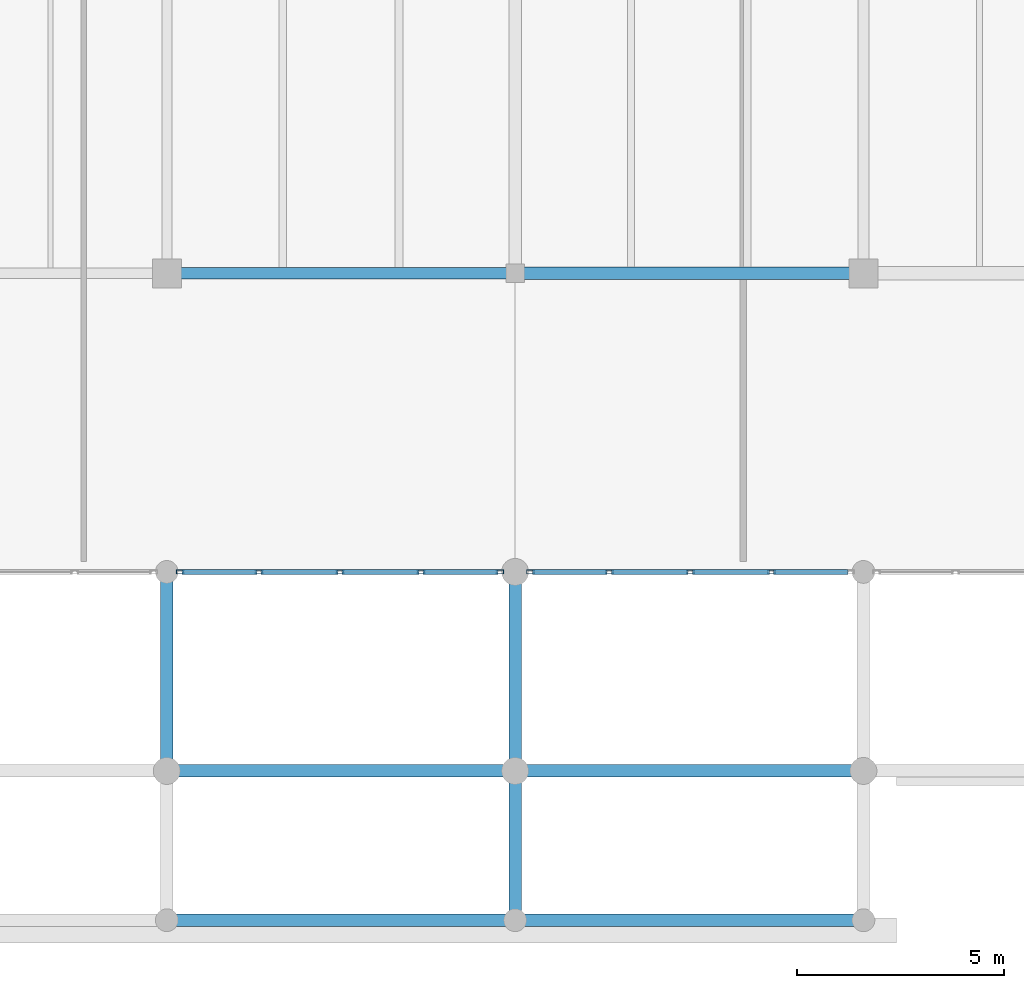
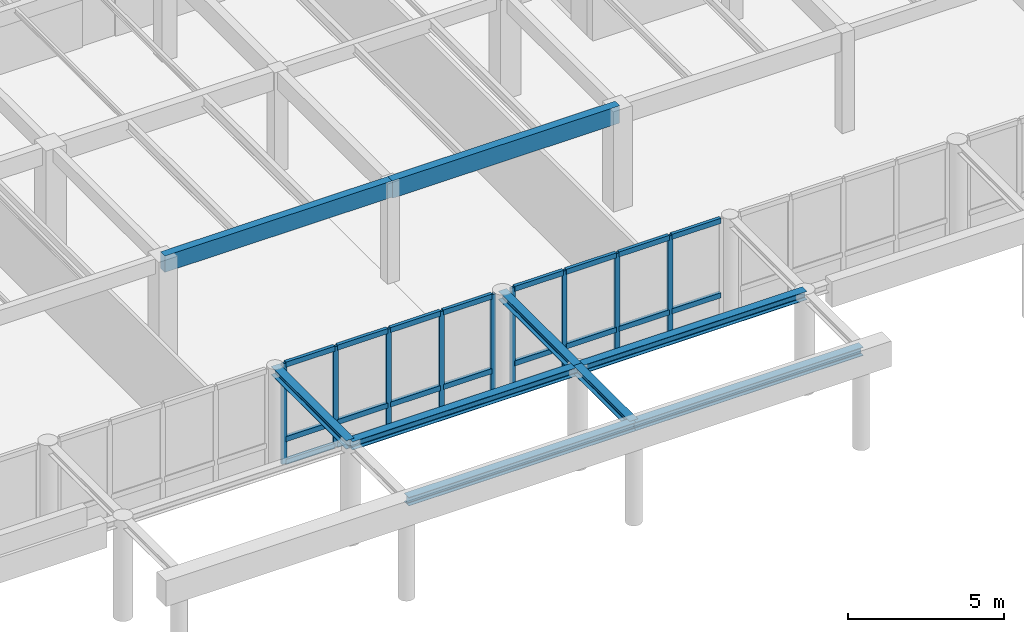
# One storey, part 44 of 170: 33 members, 9 beams, 2 elements without a shape of their own.
"""IFC4 building model written with IfcOpenShell, lengths in metres."""

from ifc_helpers import new_model, si_unit, direction, frame, origin, origin_2d, place, context, subcontext, project, spatial, rectangle, hollow_rectangle, i_section, extrude, material, layer, layer_set, material_profile, profile_set, type_object, element, aggregate, save


model = new_model("IFC4")

# Units and contexts
model_context = context("Model", 3, precision=1e-05, world=origin(), true_north=direction((0.0, 1.0)))
body_context = subcontext(model_context, "Body", "Model", "MODEL_VIEW")
ifc_project = project(units=[si_unit("LENGTHUNIT", "METRE"), si_unit("AREAUNIT", "SQUARE_METRE"), si_unit("VOLUMEUNIT", "CUBIC_METRE"), si_unit("PLANEANGLEUNIT", "RADIAN"), si_unit("MASSUNIT", "GRAM", prefix="KILO")], contexts=[model_context])

# Site, building, storey
site_placement = place(None, origin())
site = spatial("IfcSite", under=ifc_project, at=site_placement, CompositionType="ELEMENT")
building_placement = place(site_placement, origin())
building = spatial("IfcBuilding", under=site, at=building_placement, Name="Mazaris Harbour Polytechnic", CompositionType="ELEMENT")
storey_placement = place(building_placement, frame((0.0, 0.0, 5.39990234375)))
storey = spatial("IfcBuildingStorey", under=building, at=storey_placement, Name="L01", CompositionType="ELEMENT", Elevation=5.39990234375)

# Curtain wall, members
ifc_material_1 = material(Name="Anodised Bronze Aluminium and Low-E Glass", Category="aluminium")
ifc_layer = layer(ifc_material_1, 0.179931640625, Name="Anodised Bronze Aluminium and Low-E Glass")
ifc_layer_set = layer_set([ifc_layer], Name="Anodised Bronze Aluminium and Low-E Glass")
curtain_wall_type = type_object("IfcCurtainWallType", Name="Harbour Colonnade Curtain Wall", PredefinedType="NOTDEFINED", material=ifc_layer_set)
curtain_wall_1_placement = place(storey_placement, origin())
curtain_wall_1 = element("IfcCurtainWall", 1, at=curtain_wall_1_placement, inside=storey, type_object=curtain_wall_type, Name="V3 L01 Curtain Wall 71", PredefinedType="NOTDEFINED")
ifc_material_2 = material(Name="Anodised Bronze Steel S355", Category="steel")
ifc_material_profile_1 = material_profile(ifc_material_2, hollow_rectangle(XDim=0.10009765625, YDim=0.179931640625, WallThickness=0.008056640625, at=origin_2d()), Name="RHS 100x180x8.0")
ifc_profile_set_1 = profile_set([ifc_material_profile_1], Name="Anodised Bronze Steel S355")
member_type_1 = type_object("IfcMemberType", Name="Curtain Mullion RHS100x180", PredefinedType="MULLION", material=ifc_profile_set_1)
member_1_placement = place(storey_placement, frame((87.23291015625, 7.199951171875, 0.0), z_axis=(0.0, 0.0, 1.0), x_axis=(0.0, -1.0, 0.0)))
member_1 = element("IfcMember", 2, at=member_1_placement, type_object=member_type_1, Name="CW-01 mullion 1", PredefinedType="MULLION", context=body_context, shape_type="SweptSolid", body=[
    extrude(hollow_rectangle(XDim=0.10009765625, YDim=0.179931640625, WallThickness=0.008056640625, at=origin_2d()), origin(), (0.0, 0.0, 1.0), 3.920166015625),
])
member_2_placement = place(storey_placement, frame((85.3291015625, 7.199951171875, 0.0), z_axis=(0.0, 0.0, 1.0), x_axis=(0.0, -1.0, 0.0)))
member_2 = element("IfcMember", 3, at=member_2_placement, type_object=member_type_1, Name="CW-01 mullion 2", PredefinedType="MULLION", context=body_context, shape_type="SweptSolid", body=[
    extrude(hollow_rectangle(XDim=0.10009765625, YDim=0.179931640625, WallThickness=0.008056640625, at=origin_2d()), origin(), (0.0, 0.0, 1.0), 3.920166015625),
])
member_3_placement = place(storey_placement, frame((83.375, 7.199951171875, 0.0), z_axis=(0.0, 0.0, 1.0), x_axis=(0.0, -1.0, 0.0)))
member_3 = element("IfcMember", 4, at=member_3_placement, type_object=member_type_1, Name="CW-01 mullion 3", PredefinedType="MULLION", context=body_context, shape_type="SweptSolid", body=[
    extrude(hollow_rectangle(XDim=0.10009765625, YDim=0.179931640625, WallThickness=0.008056640625, at=origin_2d()), origin(), (0.0, 0.0, 1.0), 3.920166015625),
])
member_4_placement = place(storey_placement, frame((81.4208984375, 7.199951171875, 0.0), z_axis=(0.0, 0.0, 1.0), x_axis=(0.0, -1.0, 0.0)))
member_4 = element("IfcMember", 5, at=member_4_placement, type_object=member_type_1, Name="CW-01 mullion 4", PredefinedType="MULLION", context=body_context, shape_type="SweptSolid", body=[
    extrude(hollow_rectangle(XDim=0.10009765625, YDim=0.179931640625, WallThickness=0.008056640625, at=origin_2d()), origin(), (0.0, 0.0, 1.0), 3.920166015625),
])
member_5_placement = place(storey_placement, frame((79.51708984375, 7.199951171875, 0.0), z_axis=(0.0, 0.0, 1.0), x_axis=(0.0, -1.0, 0.0)))
member_5 = element("IfcMember", 6, at=member_5_placement, type_object=member_type_1, Name="CW-01 mullion 5", PredefinedType="MULLION", context=body_context, shape_type="SweptSolid", body=[
    extrude(hollow_rectangle(XDim=0.10009765625, YDim=0.179931640625, WallThickness=0.008056640625, at=origin_2d()), origin(), (0.0, 0.0, 1.0), 3.920166015625),
])

curtain_wall_2_placement = place(storey_placement, origin())
curtain_wall_2 = element("IfcCurtainWall", 7, at=curtain_wall_2_placement, inside=storey, type_object=curtain_wall_type, Name="V3 L01 Curtain Wall 72", PredefinedType="NOTDEFINED")
member_6_placement = place(storey_placement, frame((93.779052734375, 7.199951171875, 0.0), z_axis=(0.0, 0.0, 1.0), x_axis=(0.0, -1.0, 0.0)))
member_6 = element("IfcMember", 8, at=member_6_placement, type_object=member_type_1, Name="CW-01 mullion 2", PredefinedType="MULLION", context=body_context, shape_type="SweptSolid", body=[
    extrude(hollow_rectangle(XDim=0.10009765625, YDim=0.179931640625, WallThickness=0.008056640625, at=origin_2d()), origin(), (0.0, 0.0, 1.0), 3.920166015625),
])
member_7_placement = place(storey_placement, frame((91.824951171875, 7.199951171875, 0.0), z_axis=(0.0, 0.0, 1.0), x_axis=(0.0, -1.0, 0.0)))
member_7 = element("IfcMember", 9, at=member_7_placement, type_object=member_type_1, Name="CW-01 mullion 3", PredefinedType="MULLION", context=body_context, shape_type="SweptSolid", body=[
    extrude(hollow_rectangle(XDim=0.10009765625, YDim=0.179931640625, WallThickness=0.008056640625, at=origin_2d()), origin(), (0.0, 0.0, 1.0), 3.920166015625),
])
member_8_placement = place(storey_placement, frame((89.87109375, 7.199951171875, 0.0), z_axis=(0.0, 0.0, 1.0), x_axis=(0.0, -1.0, 0.0)))
member_8 = element("IfcMember", 10, at=member_8_placement, type_object=member_type_1, Name="CW-01 mullion 4", PredefinedType="MULLION", context=body_context, shape_type="SweptSolid", body=[
    extrude(hollow_rectangle(XDim=0.10009765625, YDim=0.179931640625, WallThickness=0.008056640625, at=origin_2d()), origin(), (0.0, 0.0, 1.0), 3.920166015625),
])
member_9_placement = place(storey_placement, frame((87.967041015625, 7.199951171875, 0.0), z_axis=(0.0, 0.0, 1.0), x_axis=(0.0, -1.0, 0.0)))
member_9 = element("IfcMember", 11, at=member_9_placement, type_object=member_type_1, Name="CW-01 mullion 5", PredefinedType="MULLION", context=body_context, shape_type="SweptSolid", body=[
    extrude(hollow_rectangle(XDim=0.10009765625, YDim=0.179931640625, WallThickness=0.008056640625, at=origin_2d()), origin(), (0.0, 0.0, 1.0), 3.920166015625),
])

# Member
ifc_material_3 = material(Name="Anodised Bronze Steel S355", Category="steel")
ifc_material_profile_2 = material_profile(ifc_material_3, hollow_rectangle(XDim=0.1201171875, YDim=0.199951171875, WallThickness=0.008056640625, at=origin_2d()), Name="RHS 120x200x8.0")
ifc_profile_set_2 = profile_set([ifc_material_profile_2], Name="Anodised Bronze Steel S355")
member_type_2 = type_object("IfcMemberType", Name="Curtain Transom RHS120x200", PredefinedType="USERDEFINED", material=ifc_profile_set_2)
member_10_placement = place(storey_placement, frame((87.18310546875, 7.199951171875, 0.06005859375), z_axis=(-1.0, 0.0, 0.0), x_axis=(0.0, -1.0, 0.0)))
member_10 = element("IfcMember", 12, at=member_10_placement, type_object=member_type_2, Name="CW-01 transom 1.1", ObjectType="TRANSOM", PredefinedType="USERDEFINED", context=body_context, shape_type="SweptSolid", body=[
    extrude(hollow_rectangle(XDim=0.1201171875, YDim=0.199951171875, WallThickness=0.008056640625, at=origin_2d()), origin(), (0.0, 0.0, 1.0), 1.80419921875),
])

member_11_placement = place(storey_placement, frame((87.18310546875, 7.199951171875, 0.9501953125), z_axis=(-1.0, 0.0, 0.0), x_axis=(0.0, -1.0, 0.0)))
member_11 = element("IfcMember", 13, at=member_11_placement, type_object=member_type_2, Name="CW-01 transom 1.2", ObjectType="TRANSOM", PredefinedType="USERDEFINED", context=body_context, shape_type="SweptSolid", body=[
    extrude(hollow_rectangle(XDim=0.1201171875, YDim=0.199951171875, WallThickness=0.008056640625, at=origin_2d()), origin(), (0.0, 0.0, 1.0), 1.80419921875),
])

member_12_placement = place(storey_placement, frame((87.18310546875, 7.199951171875, 3.860107421875), z_axis=(-1.0, 0.0, 0.0), x_axis=(0.0, -1.0, 0.0)))
member_12 = element("IfcMember", 14, at=member_12_placement, type_object=member_type_2, Name="CW-01 transom 1.3", ObjectType="TRANSOM", PredefinedType="USERDEFINED", context=body_context, shape_type="SweptSolid", body=[
    extrude(hollow_rectangle(XDim=0.1201171875, YDim=0.199951171875, WallThickness=0.008056640625, at=origin_2d()), origin(), (0.0, 0.0, 1.0), 1.80419921875),
])

member_13_placement = place(storey_placement, frame((85.279052734375, 7.199951171875, 0.06005859375), z_axis=(-1.0, 0.0, 0.0), x_axis=(0.0, -1.0, 0.0)))
member_13 = element("IfcMember", 15, at=member_13_placement, type_object=member_type_2, Name="CW-01 transom 2.1", ObjectType="TRANSOM", PredefinedType="USERDEFINED", context=body_context, shape_type="SweptSolid", body=[
    extrude(hollow_rectangle(XDim=0.1201171875, YDim=0.199951171875, WallThickness=0.008056640625, at=origin_2d()), origin(), (0.0, 0.0, 1.0), 1.85400390625),
])

member_14_placement = place(storey_placement, frame((85.279052734375, 7.199951171875, 0.9501953125), z_axis=(-1.0, 0.0, 0.0), x_axis=(0.0, -1.0, 0.0)))
member_14 = element("IfcMember", 16, at=member_14_placement, type_object=member_type_2, Name="CW-01 transom 2.2", ObjectType="TRANSOM", PredefinedType="USERDEFINED", context=body_context, shape_type="SweptSolid", body=[
    extrude(hollow_rectangle(XDim=0.1201171875, YDim=0.199951171875, WallThickness=0.008056640625, at=origin_2d()), origin(), (0.0, 0.0, 1.0), 1.85400390625),
])

member_15_placement = place(storey_placement, frame((85.279052734375, 7.199951171875, 3.860107421875), z_axis=(-1.0, 0.0, 0.0), x_axis=(0.0, -1.0, 0.0)))
member_15 = element("IfcMember", 17, at=member_15_placement, type_object=member_type_2, Name="CW-01 transom 2.3", ObjectType="TRANSOM", PredefinedType="USERDEFINED", context=body_context, shape_type="SweptSolid", body=[
    extrude(hollow_rectangle(XDim=0.1201171875, YDim=0.199951171875, WallThickness=0.008056640625, at=origin_2d()), origin(), (0.0, 0.0, 1.0), 1.85400390625),
])

member_16_placement = place(storey_placement, frame((83.324951171875, 7.199951171875, 0.06005859375), z_axis=(-1.0, 0.0, 0.0), x_axis=(0.0, -1.0, 0.0)))
member_16 = element("IfcMember", 18, at=member_16_placement, type_object=member_type_2, Name="CW-01 transom 3.1", ObjectType="TRANSOM", PredefinedType="USERDEFINED", context=body_context, shape_type="SweptSolid", body=[
    extrude(hollow_rectangle(XDim=0.1201171875, YDim=0.199951171875, WallThickness=0.008056640625, at=origin_2d()), origin(), (0.0, 0.0, 1.0), 1.85400390625),
])

member_17_placement = place(storey_placement, frame((83.324951171875, 7.199951171875, 0.9501953125), z_axis=(-1.0, 0.0, 0.0), x_axis=(0.0, -1.0, 0.0)))
member_17 = element("IfcMember", 19, at=member_17_placement, type_object=member_type_2, Name="CW-01 transom 3.2", ObjectType="TRANSOM", PredefinedType="USERDEFINED", context=body_context, shape_type="SweptSolid", body=[
    extrude(hollow_rectangle(XDim=0.1201171875, YDim=0.199951171875, WallThickness=0.008056640625, at=origin_2d()), origin(), (0.0, 0.0, 1.0), 1.85400390625),
])

member_18_placement = place(storey_placement, frame((83.324951171875, 7.199951171875, 3.860107421875), z_axis=(-1.0, 0.0, 0.0), x_axis=(0.0, -1.0, 0.0)))
member_18 = element("IfcMember", 20, at=member_18_placement, type_object=member_type_2, Name="CW-01 transom 3.3", ObjectType="TRANSOM", PredefinedType="USERDEFINED", context=body_context, shape_type="SweptSolid", body=[
    extrude(hollow_rectangle(XDim=0.1201171875, YDim=0.199951171875, WallThickness=0.008056640625, at=origin_2d()), origin(), (0.0, 0.0, 1.0), 1.85400390625),
])

member_19_placement = place(storey_placement, frame((81.37109375, 7.199951171875, 0.06005859375), z_axis=(-1.0, 0.0, 0.0), x_axis=(0.0, -1.0, 0.0)))
member_19 = element("IfcMember", 21, at=member_19_placement, type_object=member_type_2, Name="CW-01 transom 4.1", ObjectType="TRANSOM", PredefinedType="USERDEFINED", context=body_context, shape_type="SweptSolid", body=[
    extrude(hollow_rectangle(XDim=0.1201171875, YDim=0.199951171875, WallThickness=0.008056640625, at=origin_2d()), origin(), (0.0, 0.0, 1.0), 1.80419921875),
])

member_20_placement = place(storey_placement, frame((81.37109375, 7.199951171875, 0.9501953125), z_axis=(-1.0, 0.0, 0.0), x_axis=(0.0, -1.0, 0.0)))
member_20 = element("IfcMember", 22, at=member_20_placement, type_object=member_type_2, Name="CW-01 transom 4.2", ObjectType="TRANSOM", PredefinedType="USERDEFINED", context=body_context, shape_type="SweptSolid", body=[
    extrude(hollow_rectangle(XDim=0.1201171875, YDim=0.199951171875, WallThickness=0.008056640625, at=origin_2d()), origin(), (0.0, 0.0, 1.0), 1.80419921875),
])

member_21_placement = place(storey_placement, frame((81.37109375, 7.199951171875, 3.860107421875), z_axis=(-1.0, 0.0, 0.0), x_axis=(0.0, -1.0, 0.0)))
member_21 = element("IfcMember", 23, at=member_21_placement, type_object=member_type_2, Name="CW-01 transom 4.3", ObjectType="TRANSOM", PredefinedType="USERDEFINED", context=body_context, shape_type="SweptSolid", body=[
    extrude(hollow_rectangle(XDim=0.1201171875, YDim=0.199951171875, WallThickness=0.008056640625, at=origin_2d()), origin(), (0.0, 0.0, 1.0), 1.80419921875),
])

aggregate(curtain_wall_1, [member_1, member_2, member_3, member_4, member_5, member_10, member_11, member_12, member_13, member_14, member_15, member_16, member_17, member_18, member_19, member_20, member_21])

member_22_placement = place(storey_placement, frame((95.633056640625, 7.199951171875, 0.06005859375), z_axis=(-1.0, 0.0, 0.0), x_axis=(0.0, -1.0, 0.0)))
member_22 = element("IfcMember", 24, at=member_22_placement, type_object=member_type_2, Name="CW-01 transom 1.1", ObjectType="TRANSOM", PredefinedType="USERDEFINED", context=body_context, shape_type="SweptSolid", body=[
    extrude(hollow_rectangle(XDim=0.1201171875, YDim=0.199951171875, WallThickness=0.008056640625, at=origin_2d()), origin(), (0.0, 0.0, 1.0), 1.803955078125),
])

member_23_placement = place(storey_placement, frame((95.633056640625, 7.199951171875, 0.9501953125), z_axis=(-1.0, 0.0, 0.0), x_axis=(0.0, -1.0, 0.0)))
member_23 = element("IfcMember", 25, at=member_23_placement, type_object=member_type_2, Name="CW-01 transom 1.2", ObjectType="TRANSOM", PredefinedType="USERDEFINED", context=body_context, shape_type="SweptSolid", body=[
    extrude(hollow_rectangle(XDim=0.1201171875, YDim=0.199951171875, WallThickness=0.008056640625, at=origin_2d()), origin(), (0.0, 0.0, 1.0), 1.803955078125),
])

member_24_placement = place(storey_placement, frame((95.633056640625, 7.199951171875, 3.860107421875), z_axis=(-1.0, 0.0, 0.0), x_axis=(0.0, -1.0, 0.0)))
member_24 = element("IfcMember", 26, at=member_24_placement, type_object=member_type_2, Name="CW-01 transom 1.3", ObjectType="TRANSOM", PredefinedType="USERDEFINED", context=body_context, shape_type="SweptSolid", body=[
    extrude(hollow_rectangle(XDim=0.1201171875, YDim=0.199951171875, WallThickness=0.008056640625, at=origin_2d()), origin(), (0.0, 0.0, 1.0), 1.803955078125),
])

member_25_placement = place(storey_placement, frame((93.72900390625, 7.199951171875, 0.06005859375), z_axis=(-1.0, 0.0, 0.0), x_axis=(0.0, -1.0, 0.0)))
member_25 = element("IfcMember", 27, at=member_25_placement, type_object=member_type_2, Name="CW-01 transom 2.1", ObjectType="TRANSOM", PredefinedType="USERDEFINED", context=body_context, shape_type="SweptSolid", body=[
    extrude(hollow_rectangle(XDim=0.1201171875, YDim=0.199951171875, WallThickness=0.008056640625, at=origin_2d()), origin(), (0.0, 0.0, 1.0), 1.85400390625),
])

member_26_placement = place(storey_placement, frame((93.72900390625, 7.199951171875, 0.9501953125), z_axis=(-1.0, 0.0, 0.0), x_axis=(0.0, -1.0, 0.0)))
member_26 = element("IfcMember", 28, at=member_26_placement, type_object=member_type_2, Name="CW-01 transom 2.2", ObjectType="TRANSOM", PredefinedType="USERDEFINED", context=body_context, shape_type="SweptSolid", body=[
    extrude(hollow_rectangle(XDim=0.1201171875, YDim=0.199951171875, WallThickness=0.008056640625, at=origin_2d()), origin(), (0.0, 0.0, 1.0), 1.85400390625),
])

member_27_placement = place(storey_placement, frame((93.72900390625, 7.199951171875, 3.860107421875), z_axis=(-1.0, 0.0, 0.0), x_axis=(0.0, -1.0, 0.0)))
member_27 = element("IfcMember", 29, at=member_27_placement, type_object=member_type_2, Name="CW-01 transom 2.3", ObjectType="TRANSOM", PredefinedType="USERDEFINED", context=body_context, shape_type="SweptSolid", body=[
    extrude(hollow_rectangle(XDim=0.1201171875, YDim=0.199951171875, WallThickness=0.008056640625, at=origin_2d()), origin(), (0.0, 0.0, 1.0), 1.85400390625),
])

member_28_placement = place(storey_placement, frame((91.77490234375, 7.199951171875, 0.06005859375), z_axis=(-1.0, 0.0, 0.0), x_axis=(0.0, -1.0, 0.0)))
member_28 = element("IfcMember", 30, at=member_28_placement, type_object=member_type_2, Name="CW-01 transom 3.1", ObjectType="TRANSOM", PredefinedType="USERDEFINED", context=body_context, shape_type="SweptSolid", body=[
    extrude(hollow_rectangle(XDim=0.1201171875, YDim=0.199951171875, WallThickness=0.008056640625, at=origin_2d()), origin(), (0.0, 0.0, 1.0), 1.85400390625),
])

member_29_placement = place(storey_placement, frame((91.77490234375, 7.199951171875, 0.9501953125), z_axis=(-1.0, 0.0, 0.0), x_axis=(0.0, -1.0, 0.0)))
member_29 = element("IfcMember", 31, at=member_29_placement, type_object=member_type_2, Name="CW-01 transom 3.2", ObjectType="TRANSOM", PredefinedType="USERDEFINED", context=body_context, shape_type="SweptSolid", body=[
    extrude(hollow_rectangle(XDim=0.1201171875, YDim=0.199951171875, WallThickness=0.008056640625, at=origin_2d()), origin(), (0.0, 0.0, 1.0), 1.85400390625),
])

member_30_placement = place(storey_placement, frame((91.77490234375, 7.199951171875, 3.860107421875), z_axis=(-1.0, 0.0, 0.0), x_axis=(0.0, -1.0, 0.0)))
member_30 = element("IfcMember", 32, at=member_30_placement, type_object=member_type_2, Name="CW-01 transom 3.3", ObjectType="TRANSOM", PredefinedType="USERDEFINED", context=body_context, shape_type="SweptSolid", body=[
    extrude(hollow_rectangle(XDim=0.1201171875, YDim=0.199951171875, WallThickness=0.008056640625, at=origin_2d()), origin(), (0.0, 0.0, 1.0), 1.85400390625),
])

member_31_placement = place(storey_placement, frame((89.821044921875, 7.199951171875, 0.06005859375), z_axis=(-1.0, 0.0, 0.0), x_axis=(0.0, -1.0, 0.0)))
member_31 = element("IfcMember", 33, at=member_31_placement, type_object=member_type_2, Name="CW-01 transom 4.1", ObjectType="TRANSOM", PredefinedType="USERDEFINED", context=body_context, shape_type="SweptSolid", body=[
    extrude(hollow_rectangle(XDim=0.1201171875, YDim=0.199951171875, WallThickness=0.008056640625, at=origin_2d()), origin(), (0.0, 0.0, 1.0), 1.803955078125),
])

member_32_placement = place(storey_placement, frame((89.821044921875, 7.199951171875, 0.9501953125), z_axis=(-1.0, 0.0, 0.0), x_axis=(0.0, -1.0, 0.0)))
member_32 = element("IfcMember", 34, at=member_32_placement, type_object=member_type_2, Name="CW-01 transom 4.2", ObjectType="TRANSOM", PredefinedType="USERDEFINED", context=body_context, shape_type="SweptSolid", body=[
    extrude(hollow_rectangle(XDim=0.1201171875, YDim=0.199951171875, WallThickness=0.008056640625, at=origin_2d()), origin(), (0.0, 0.0, 1.0), 1.803955078125),
])

member_33_placement = place(storey_placement, frame((89.821044921875, 7.199951171875, 3.860107421875), z_axis=(-1.0, 0.0, 0.0), x_axis=(0.0, -1.0, 0.0)))
member_33 = element("IfcMember", 35, at=member_33_placement, type_object=member_type_2, Name="CW-01 transom 4.3", ObjectType="TRANSOM", PredefinedType="USERDEFINED", context=body_context, shape_type="SweptSolid", body=[
    extrude(hollow_rectangle(XDim=0.1201171875, YDim=0.199951171875, WallThickness=0.008056640625, at=origin_2d()), origin(), (0.0, 0.0, 1.0), 1.803955078125),
])

aggregate(curtain_wall_2, [member_6, member_7, member_8, member_9, member_22, member_23, member_24, member_25, member_26, member_27, member_28, member_29, member_30, member_31, member_32, member_33])

# Beams
ifc_material_4 = material(Name="Glulam GL32h", Category="wood")
ifc_material_profile_3 = material_profile(ifc_material_4, rectangle(XDim=0.280029296875, YDim=0.639892578125, at=origin_2d()), Name="RECT280x640")
ifc_profile_set_3 = profile_set([ifc_material_profile_3], Name="Glulam GL32h")
beam_type_1 = type_object("IfcBeamType", Name="Glulam Girder 280x640 Exterior", PredefinedType="BEAM", material=ifc_profile_set_3)
beam_1_placement = place(storey_placement, frame((79.199951171875, 14.39990234375, 3.60009765625), z_axis=(1.0, 0.0, 0.0), x_axis=(0.0, 1.0, 0.0)))
element("IfcBeam", 36, at=beam_1_placement, inside=storey, type_object=beam_type_1, Name="V3 L01 Girder 972", PredefinedType="BEAM", context=body_context, shape_type="SweptSolid", body=[
    extrude(rectangle(XDim=0.280029296875, YDim=0.639892578125, at=origin_2d()), origin(), (0.0, 0.0, 1.0), 8.400146484375),
])
ifc_material_5 = material(Name="Glulam GL32h", Category="wood")
ifc_material_profile_4 = material_profile(ifc_material_5, rectangle(XDim=0.300048828125, YDim=0.679931640625, at=origin_2d()), Name="RECT300x680")
ifc_profile_set_4 = profile_set([ifc_material_profile_4], Name="Glulam GL32h")
beam_type_2 = type_object("IfcBeamType", Name="Glulam Girder 300x680 Exterior", PredefinedType="BEAM", material=ifc_profile_set_4)
beam_2_placement = place(storey_placement, frame((87.60009765625, 14.39990234375, 3.580078125), z_axis=(1.0, 0.0, 0.0), x_axis=(0.0, 1.0, 0.0)))
element("IfcBeam", 37, at=beam_2_placement, inside=storey, type_object=beam_type_2, Name="V3 L01 Girder 973", PredefinedType="BEAM", context=body_context, shape_type="SweptSolid", body=[
    extrude(rectangle(XDim=0.300048828125, YDim=0.679931640625, at=origin_2d()), origin(), (0.0, 0.0, 1.0), 8.39990234375),
])
ifc_material_6 = material(Name="Steel S355", Category="steel")
ifc_material_profile_5 = material_profile(ifc_material_6, i_section(OverallWidth=0.300048828125, OverallDepth=0.330078125, WebThickness=0.009521484375, FlangeThickness=0.0166015625, FilletRadius=0.027099609375, at=origin_2d()), Name="HEA 340")
ifc_profile_set_5 = profile_set([ifc_material_profile_5], Name="Steel S355")
beam_type_3 = type_object("IfcBeamType", Name="Steel Beam HEA340 Exterior", PredefinedType="BEAM", material=ifc_profile_set_5)
for number, where, z_axis, x_axis, name in (
    (38, (79.199951171875, 2.39990234375, 3.780029296875), (0.0, 1.0, 0.0), (-1.0, 0.0, 0.0), "Colonnade Cross Beam 3484"),
    (39, (87.60009765625, 2.39990234375, 3.780029296875), (0.0, 1.0, 0.0), (-1.0, 0.0, 0.0), "Colonnade Cross Beam 3485"),
):
    element("IfcBeam", number, at=place(storey_placement, frame(where, z_axis=z_axis, x_axis=x_axis)), inside=storey, type_object=beam_type_3, Name=name, PredefinedType="BEAM", context=body_context, shape_type="SweptSolid", body=[
        extrude(i_section(OverallWidth=0.300048828125, OverallDepth=0.330078125, WebThickness=0.009521484375, FlangeThickness=0.0166015625, FilletRadius=0.027099609375, at=origin_2d()), origin(), (0.0, 0.0, 1.0), 4.800048828125),
    ])
beam_3_placement = place(storey_placement, frame((79.199951171875, 2.39990234375, 3.780029296875), z_axis=(1.0, 0.0, 0.0), x_axis=(0.0, 1.0, 0.0)))
element("IfcBeam", 40, at=beam_3_placement, inside=storey, type_object=beam_type_3, Name="Colonnade Entablature Architrave 3492", PredefinedType="BEAM", context=body_context, shape_type="SweptSolid", body=[
    extrude(i_section(OverallWidth=0.300048828125, OverallDepth=0.330078125, WebThickness=0.009521484375, FlangeThickness=0.0166015625, FilletRadius=0.027099609375, at=origin_2d()), origin(), (0.0, 0.0, 1.0), 8.400146484375),
])
beam_4_placement = place(storey_placement, frame((87.60009765625, 2.39990234375, 3.780029296875), z_axis=(1.0, 0.0, 0.0), x_axis=(0.0, 1.0, 0.0)))
element("IfcBeam", 41, at=beam_4_placement, inside=storey, type_object=beam_type_3, Name="Colonnade Entablature Architrave 3493", PredefinedType="BEAM", context=body_context, shape_type="SweptSolid", body=[
    extrude(i_section(OverallWidth=0.300048828125, OverallDepth=0.330078125, WebThickness=0.009521484375, FlangeThickness=0.0166015625, FilletRadius=0.027099609375, at=origin_2d()), origin(), (0.0, 0.0, 1.0), 8.39990234375),
])
beam_5_placement = place(storey_placement, frame((87.60009765625, -1.199951171875, 3.780029296875), z_axis=(0.0, 1.0, 0.0), x_axis=(-1.0, 0.0, 0.0)))
element("IfcBeam", 42, at=beam_5_placement, inside=storey, type_object=beam_type_3, Name="Portico Tie Beam 3498", PredefinedType="BEAM", context=body_context, shape_type="SweptSolid", body=[
    extrude(i_section(OverallWidth=0.300048828125, OverallDepth=0.330078125, WebThickness=0.009521484375, FlangeThickness=0.0166015625, FilletRadius=0.027099609375, at=origin_2d()), origin(), (0.0, 0.0, 1.0), 3.599853515625),
])
beam_6_placement = place(storey_placement, frame((79.199951171875, -1.199951171875, 3.780029296875), z_axis=(1.0, 0.0, 0.0), x_axis=(0.0, 1.0, 0.0)))
element("IfcBeam", 43, at=beam_6_placement, inside=storey, type_object=beam_type_3, Name="Portico Architrave Beam 3501", PredefinedType="BEAM", context=body_context, shape_type="SweptSolid", body=[
    extrude(i_section(OverallWidth=0.300048828125, OverallDepth=0.330078125, WebThickness=0.009521484375, FlangeThickness=0.0166015625, FilletRadius=0.027099609375, at=origin_2d()), origin(), (0.0, 0.0, 1.0), 8.400146484375),
])
beam_7_placement = place(storey_placement, frame((87.60009765625, -1.199951171875, 3.780029296875), z_axis=(1.0, 0.0, 0.0), x_axis=(0.0, 1.0, 0.0)))
element("IfcBeam", 44, at=beam_7_placement, inside=storey, type_object=beam_type_3, Name="Portico Architrave Beam 3502", PredefinedType="BEAM", context=body_context, shape_type="SweptSolid", body=[
    extrude(i_section(OverallWidth=0.300048828125, OverallDepth=0.330078125, WebThickness=0.009521484375, FlangeThickness=0.0166015625, FilletRadius=0.027099609375, at=origin_2d()), origin(), (0.0, 0.0, 1.0), 8.39990234375),
])

save(model, "model.ifc")
